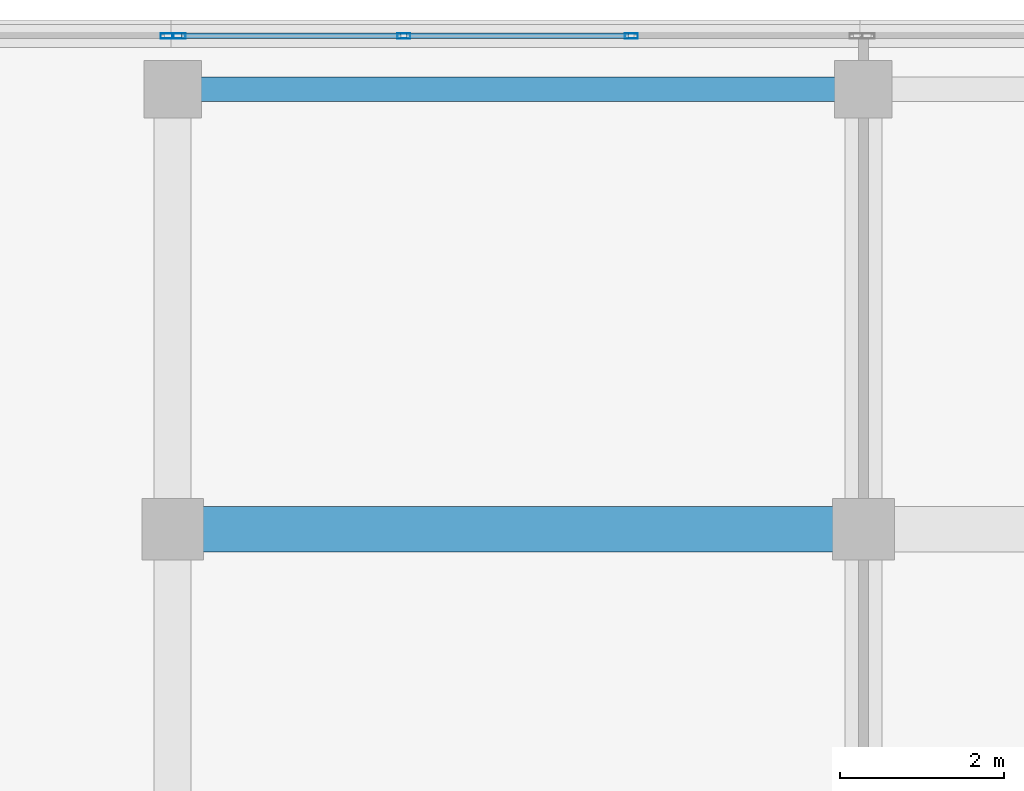
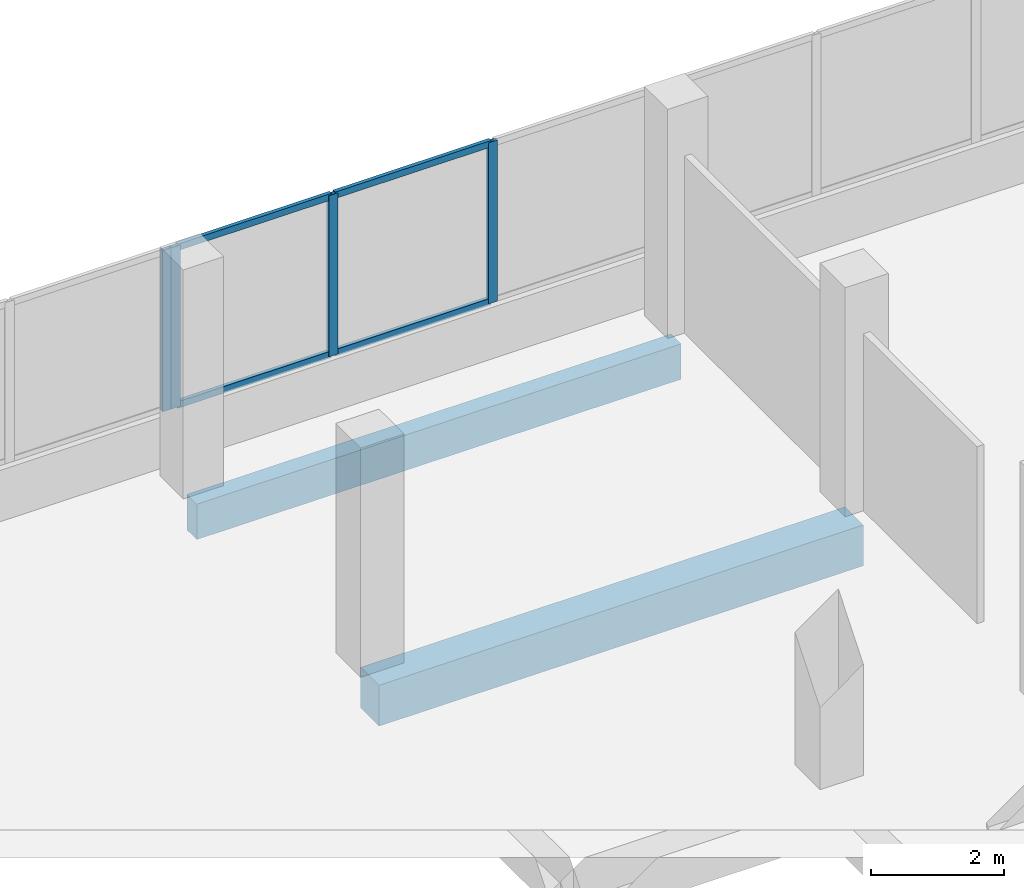
# One storey, part 93 of 184: 8 members, 2 beams, 2 elements without a shape of their own.
"""IFC4 building model written with IfcOpenShell, lengths in metres."""

import ifcopenshell
import ifcopenshell.guid

model = None  # the IFC model being written
_history = None  # IfcOwnerHistory: only IFC2X3 demands one
_inside = {}  # id of a spatial element -> (the spatial element, [elements in it])
_under = {}  # id of a project, library or spatial element -> (it, [spatial elements below it])
_declared = {}  # id of a project -> (the project, [libraries it declares])
_typed = {}  # id of a type object -> (the type object, [elements of that type])
_made_of = {}  # id of a material, layer set ... -> (it, [elements and type objects made of it])


def new_model(schema):
    """Start an empty IFC model of exactly this schema.

    Asked for "IFC4X3", IfcOpenShell would pick the latest addendum, in which some entities
    have other attributes; the version numbers below select the first issue.
    IFC2X3 requires an IfcOwnerHistory on every rooted entity: one is made here for all.
    """
    global model, _history
    if schema == "IFC4X3":
        model = ifcopenshell.file(schema_version=(4, 3, 0, 0))
    else:
        model = ifcopenshell.file(schema=schema)
    _inside.clear()
    _under.clear()
    _declared.clear()
    _typed.clear()
    _made_of.clear()
    _history = None
    if model.schema == "IFC2X3":
        org = make("IfcOrganization", Name="unknown")
        user = make(
            "IfcPersonAndOrganization",
            ThePerson=make("IfcPerson", FamilyName="unknown"),
            TheOrganization=org,
        )
        app = make(
            "IfcApplication",
            ApplicationDeveloper=org,
            Version="unknown",
            ApplicationFullName="unknown",
            ApplicationIdentifier="unknown",
        )
        _history = make(
            "IfcOwnerHistory",
            OwningUser=user,
            OwningApplication=app,
            ChangeAction="ADDED",
            CreationDate=0,
        )
    return model


def make(cls, **values):
    """One entity of the class cls with the attributes given. An attribute that is None is left unset."""
    return model.create_entity(
        cls, **{name: value for name, value in values.items() if value is not None}
    )


def rooted(cls, **values):
    """An entity with a GlobalId (a new one), such as an element, a storey or a relation."""
    return make(cls, GlobalId=ifcopenshell.guid.new(), OwnerHistory=_history, **values)


def si_unit(unit_type, name, prefix=None):
    """IfcSIUnit, for example si_unit("LENGTHUNIT", "METRE", prefix="MILLI")."""
    return make("IfcSIUnit", UnitType=unit_type, Prefix=prefix, Name=name)


def assignment(units):
    """IfcUnitAssignment: the units of a project."""
    return None if units is None else make("IfcUnitAssignment", Units=units)


def point(xyz):
    """IfcCartesianPoint."""
    return None if xyz is None else make("IfcCartesianPoint", Coordinates=xyz)


def direction(xyz):
    """IfcDirection."""
    return None if xyz is None else make("IfcDirection", DirectionRatios=xyz)


def frame(location, z_axis=None, x_axis=None):
    """IfcAxis2Placement3D, a coordinate frame: its origin and axes. An axis left out is left unset."""
    return make(
        "IfcAxis2Placement3D",
        Location=point(location),
        Axis=direction(z_axis),
        RefDirection=direction(x_axis),
    )


def frame_2d(location, x_axis=None):
    """IfcAxis2Placement2D, a coordinate frame in the plane: its origin and x axis."""
    return make(
        "IfcAxis2Placement2D", Location=point(location), RefDirection=direction(x_axis)
    )


def origin():
    """The frame at (0, 0, 0) with its axes left unset."""
    return frame((0.0, 0.0, 0.0))


def origin_2d():
    """The frame at (0, 0) in the plane with its x axis left unset."""
    return frame_2d((0.0, 0.0))


def place(relative_to, where):
    """IfcLocalPlacement: puts the frame where relative to a parent placement (None: the world)."""
    return make(
        "IfcLocalPlacement", PlacementRelTo=relative_to, RelativePlacement=where
    )


def context(
    kind, dimensions, precision=None, world=None, true_north=None, identifier=None
):
    """IfcGeometricRepresentationContext, for example the 3D "Model" context."""
    return make(
        "IfcGeometricRepresentationContext",
        ContextIdentifier=identifier,
        ContextType=kind,
        CoordinateSpaceDimension=dimensions,
        Precision=precision,
        WorldCoordinateSystem=world,
        TrueNorth=true_north,
    )


def subcontext(parent, identifier, kind, view, scale=None):
    """IfcGeometricRepresentationSubContext, for example "Body" below "Model"."""
    return make(
        "IfcGeometricRepresentationSubContext",
        ContextIdentifier=identifier,
        ContextType=kind,
        ParentContext=parent,
        TargetScale=scale,
        TargetView=view,
    )


def project(units=None, contexts=None):
    """IfcProject with its units and contexts."""
    return rooted(
        "IfcProject",
        Name="project",
        RepresentationContexts=contexts,
        UnitsInContext=assignment(units),
    )


def spatial(cls, under=None, at=None, **own):
    """A site, building, storey or space (cls), placed at a placement, below another one or the project."""
    s = rooted(cls, ObjectPlacement=at, **own)
    if under is not None:
        _under.setdefault(under.id(), (under, []))[1].append(s)
    return s


def profile(cls, at=None, kind="AREA", **sizes):
    """A parametric profile (cls). Its sizes go by their IFC names, for example OverallWidth=200.0."""
    return make(cls, ProfileType=kind, Position=at, **sizes)


def rectangle(**sizes):
    """IfcRectangleProfileDef."""
    return profile("IfcRectangleProfileDef", **sizes)


def hollow_rectangle(**sizes):
    """IfcRectangleHollowProfileDef."""
    return profile("IfcRectangleHollowProfileDef", **sizes)


def extrude(swept, where, along, depth):
    """IfcExtrudedAreaSolid: the profile swept, set in the frame where, extruded along a direction by depth."""
    return make(
        "IfcExtrudedAreaSolid",
        SweptArea=swept,
        Position=where,
        ExtrudedDirection=direction(along),
        Depth=depth,
    )


def shape(context_of_items, identifier, shape_type, items):
    """IfcShapeRepresentation: the items that make up one representation, for example the "Body"."""
    return make(
        "IfcShapeRepresentation",
        ContextOfItems=context_of_items,
        RepresentationIdentifier=identifier,
        RepresentationType=shape_type,
        Items=items,
    )


def material(Name=None, Category=None):
    """IfcMaterial."""
    return make("IfcMaterial", Name=Name, Category=Category)


def material_profile(
    of_material, cross_section, Name=None, Category=None, Priority=None
):
    """IfcMaterialProfile: a cross section and its material."""
    return make(
        "IfcMaterialProfile",
        Name=Name,
        Material=of_material,
        Profile=cross_section,
        Priority=Priority,
        Category=Category,
    )


def profile_set(profiles, Name=None, composite=None):
    """IfcMaterialProfileSet."""
    return make(
        "IfcMaterialProfileSet",
        Name=Name,
        MaterialProfiles=profiles,
        CompositeProfile=composite,
    )


def made_of(thing, what):
    """Note that an element or type object is made of a material, layer set ...; save() writes the relation."""
    if what is not None:
        _made_of.setdefault(what.id(), (what, []))[1].append(thing)
    return thing


def type_object(cls, material=None, **own):
    """A type object (cls), such as IfcWallType, which elements share."""
    return made_of(rooted(cls, **own), material)


def element(
    cls,
    number,
    at=None,
    inside=None,
    cuts=None,
    type_object=None,
    material=None,
    context=None,
    identifier="Body",
    shape_type=None,
    held_by="IfcProductDefinitionShape",
    body=None,
    shapes=None,
    **own,
):
    """One element of the class cls, such as IfcWall. Its Tag is "e" and its number.

    at: its placement. inside: the storey or other place that contains it. cuts: it is an
    opening in that element (IfcRelVoidsElement). A single representation is given by context,
    identifier, shape_type and body (its items); several are given by shapes. held_by: the class
    of the entity that holds the representations. save() writes the other relations.
    """
    e = rooted(cls, Tag="e%d" % number, ObjectPlacement=at, **own)
    if body is not None:
        shapes = [shape(context, identifier, shape_type, body)]
    if shapes is not None:
        e.Representation = make(held_by, Representations=shapes)
    if inside is not None:
        _inside.setdefault(inside.id(), (inside, []))[1].append(e)
    if cuts is not None:
        rooted(
            "IfcRelVoidsElement", RelatingBuildingElement=cuts, RelatedOpeningElement=e
        )
    if type_object is not None:
        _typed.setdefault(type_object.id(), (type_object, []))[1].append(e)
    return made_of(e, material)


def aggregate(whole, parts):
    """IfcRelAggregates: a whole, such as a stair, and the parts it consists of."""
    return rooted("IfcRelAggregates", RelatingObject=whole, RelatedObjects=parts)


def save(model, path):
    """Write the relations noted so far, then the file.

    IfcRelAggregates (storeys below a building ...), IfcRelContainedInSpatialStructure (elements
    in a storey), IfcRelDefinesByType, IfcRelAssociatesMaterial and IfcRelDeclares: one each for
    every whole, place, type object, material and project.
    """
    for whole, parts in _under.values():
        aggregate(whole, parts)
    for where, things in _inside.values():
        rooted(
            "IfcRelContainedInSpatialStructure",
            RelatedElements=things,
            RelatingStructure=where,
        )
    for kind, things in _typed.values():
        rooted("IfcRelDefinesByType", RelatedObjects=things, RelatingType=kind)
    for what, things in _made_of.values():
        rooted("IfcRelAssociatesMaterial", RelatedObjects=things, RelatingMaterial=what)
    for by, libraries in _declared.values():
        rooted("IfcRelDeclares", RelatingContext=by, RelatedDefinitions=libraries)
    model.write(path)


model = new_model("IFC4")

# Units and contexts
model_context = context("Model", 3, precision=1e-05, world=origin(), true_north=direction((0.0, 1.0)))
body_context = subcontext(model_context, "Body", "Model", "MODEL_VIEW")
ifc_project = project(units=[si_unit("LENGTHUNIT", "METRE"), si_unit("AREAUNIT", "SQUARE_METRE"), si_unit("VOLUMEUNIT", "CUBIC_METRE"), si_unit("PLANEANGLEUNIT", "RADIAN"), si_unit("MASSUNIT", "GRAM", prefix="KILO")], contexts=[model_context])

# Site, building, storey
site_placement = place(None, origin())
site = spatial("IfcSite", under=ifc_project, at=site_placement, CompositionType="ELEMENT")
building_placement = place(site_placement, origin())
building = spatial("IfcBuilding", under=site, at=building_placement, Name="Selatvlak General Hospital", CompositionType="ELEMENT")
storey_placement = place(building_placement, frame((0.0, 0.0, 15.0)))
storey = spatial("IfcBuildingStorey", under=building, at=storey_placement, Name="L03", CompositionType="ELEMENT", Elevation=15.0)

# Beams
ifc_material_1 = material(Name="Concrete C40/50", Category="concrete")
ifc_material_profile_1 = material_profile(ifc_material_1, rectangle(XDim=0.550048828125, YDim=0.75, at=origin_2d()), Name="RC-BM 550x750")
ifc_profile_set_1 = profile_set([ifc_material_profile_1], Name="Concrete C40/50")
beam_type_1 = type_object("IfcBeamType", Name="BM-G02", PredefinedType="BEAM", material=ifc_profile_set_1)
beam_1_placement = place(storey_placement, frame((22.800048828125, 114.0, -0.715087890625), z_axis=(1.0, 0.0, 0.0), x_axis=(0.0, 1.0, 0.0)))
element("IfcBeam", 1, at=beam_1_placement, inside=storey, type_object=beam_type_1, Name="Beam BMR-L03-1262", PredefinedType="BEAM", context=body_context, shape_type="SweptSolid", body=[
    extrude(rectangle(XDim=0.550048828125, YDim=0.75, at=origin_2d()), origin(), (0.0, 0.0, 1.0), 8.39990234375),
])
ifc_material_profile_2 = material_profile(ifc_material_1, rectangle(XDim=0.300048828125, YDim=0.64990234375, at=origin_2d()), Name="RC-SP 300x650")
ifc_profile_set_2 = profile_set([ifc_material_profile_2], Name="Concrete C40/50")
beam_type_2 = type_object("IfcBeamType", Name="BM-SP1", PredefinedType="SPANDREL", material=ifc_profile_set_2)
beam_2_placement = place(storey_placement, frame((22.800048828125, 119.35009765625, -0.6650390625), z_axis=(1.0, 0.0, 0.0), x_axis=(0.0, 1.0, 0.0)))
element("IfcBeam", 2, at=beam_2_placement, inside=storey, type_object=beam_type_2, Name="Beam BMR-L03-1277", PredefinedType="SPANDREL", context=body_context, shape_type="SweptSolid", body=[
    extrude(rectangle(XDim=0.300048828125, YDim=0.64990234375, at=origin_2d()), origin(), (0.0, 0.0, 1.0), 8.39990234375),
])

# Curtain wall, member
ifc_material_2 = material(Name="Solar-control Low-E double glazing", Category="glass")
curtain_wall_type_1 = type_object("IfcCurtainWallType", Name="CW-CW-01", PredefinedType="USERDEFINED", material=ifc_material_2)
curtain_wall_1_placement = place(storey_placement, origin())
curtain_wall_1 = element("IfcCurtainWall", 3, at=curtain_wall_1_placement, inside=storey, type_object=curtain_wall_type_1, Name="Glazed facade curtain wall CW-L03-0364", ObjectType="UNITISED CURTAIN WALL", PredefinedType="USERDEFINED")
ifc_material_3 = material(Name="Dark anodised aluminium mullion", Category="aluminium")
ifc_material_profile_3 = material_profile(ifc_material_3, hollow_rectangle(XDim=0.06494140625, YDim=0.159912109375, WallThickness=0.00390625, at=origin_2d()), Name="AL-MUL 65x160x4")
ifc_profile_set_3 = profile_set([ifc_material_profile_3], Name="Dark anodised aluminium mullion")
member_type_1 = type_object("IfcMemberType", Name="CWM-01", PredefinedType="MULLION", material=ifc_profile_set_3)
member_1_placement = place(storey_placement, frame((22.732421875, 119.9990234375, 0.93994140625), z_axis=(0.0, 0.0, 1.0), x_axis=(0.0, 1.0, 0.0)))
member_1 = element("IfcMember", 4, at=member_1_placement, type_object=member_type_1, Name="CW-01 mullion 4", PredefinedType="MULLION", context=body_context, shape_type="SweptSolid", body=[
    extrude(hollow_rectangle(XDim=0.06494140625, YDim=0.159912109375, WallThickness=0.00390625, at=origin_2d()), origin(), (0.0, 0.0, 1.0), 2.955078125),
])
aggregate(curtain_wall_1, [member_1])

# Curtain wall, members
curtain_wall_type_2 = type_object("IfcCurtainWallType", Name="CW-CW-02", PredefinedType="USERDEFINED", material=ifc_material_2)
curtain_wall_2_placement = place(storey_placement, origin())
curtain_wall_2 = element("IfcCurtainWall", 5, at=curtain_wall_2_placement, inside=storey, type_object=curtain_wall_type_2, Name="Glazed facade curtain wall CW-L03-0365", ObjectType="UNITISED CURTAIN WALL", PredefinedType="USERDEFINED")
member_2_placement = place(storey_placement, frame((22.87744140625, 119.9990234375, 0.93994140625), z_axis=(0.0, 0.0, 1.0), x_axis=(0.0, 1.0, 0.0)))
member_2 = element("IfcMember", 6, at=member_2_placement, type_object=member_type_1, Name="CW-02 mullion 1", PredefinedType="MULLION", context=body_context, shape_type="SweptSolid", body=[
    extrude(hollow_rectangle(XDim=0.06494140625, YDim=0.159912109375, WallThickness=0.00390625, at=origin_2d()), origin(), (0.0, 0.0, 1.0), 2.955078125),
])
member_3_placement = place(storey_placement, frame((25.611572265625, 119.9990234375, 0.93994140625), z_axis=(0.0, 0.0, 1.0), x_axis=(0.0, 1.0, 0.0)))
member_3 = element("IfcMember", 7, at=member_3_placement, type_object=member_type_1, Name="CW-02 mullion 2", PredefinedType="MULLION", context=body_context, shape_type="SweptSolid", body=[
    extrude(hollow_rectangle(XDim=0.06494140625, YDim=0.159912109375, WallThickness=0.00390625, at=origin_2d()), origin(), (0.0, 0.0, 1.0), 2.955078125),
])
member_4_placement = place(storey_placement, frame((28.37841796875, 119.9990234375, 0.93994140625), z_axis=(0.0, 0.0, 1.0), x_axis=(0.0, 1.0, 0.0)))
member_4 = element("IfcMember", 8, at=member_4_placement, type_object=member_type_1, Name="CW-02 mullion 3", PredefinedType="MULLION", context=body_context, shape_type="SweptSolid", body=[
    extrude(hollow_rectangle(XDim=0.06494140625, YDim=0.159912109375, WallThickness=0.00390625, at=origin_2d()), origin(), (0.0, 0.0, 1.0), 2.955078125),
])
ifc_material_profile_4 = material_profile(ifc_material_3, hollow_rectangle(XDim=0.06494140625, YDim=0.1201171875, WallThickness=0.00390625, at=origin_2d()), Name="AL-TRN 65x120x4")
ifc_profile_set_4 = profile_set([ifc_material_profile_4], Name="Dark anodised aluminium mullion")
member_type_2 = type_object("IfcMemberType", Name="CWT-01", PredefinedType="USERDEFINED", material=ifc_profile_set_4)
member_5_placement = place(storey_placement, frame((22.909912109375, 119.9990234375, 0.972412109375), z_axis=(1.0, 0.0, 0.0), x_axis=(0.0, 1.0, 0.0)))
member_5 = element("IfcMember", 9, at=member_5_placement, type_object=member_type_2, Name="CW-02 transom 1.1", ObjectType="TRANSOM", PredefinedType="USERDEFINED", context=body_context, shape_type="SweptSolid", body=[
    extrude(hollow_rectangle(XDim=0.06494140625, YDim=0.1201171875, WallThickness=0.00390625, at=origin_2d()), origin(), (0.0, 0.0, 1.0), 2.669189453125),
])
member_6_placement = place(storey_placement, frame((22.909912109375, 119.9990234375, 3.862548828125), z_axis=(1.0, 0.0, 0.0), x_axis=(0.0, 1.0, 0.0)))
member_6 = element("IfcMember", 10, at=member_6_placement, type_object=member_type_2, Name="CW-02 transom 1.2", ObjectType="TRANSOM", PredefinedType="USERDEFINED", context=body_context, shape_type="SweptSolid", body=[
    extrude(hollow_rectangle(XDim=0.06494140625, YDim=0.1201171875, WallThickness=0.00390625, at=origin_2d()), origin(), (0.0, 0.0, 1.0), 2.669189453125),
])
member_7_placement = place(storey_placement, frame((25.644287109375, 119.9990234375, 0.972412109375), z_axis=(1.0, 0.0, 0.0), x_axis=(0.0, 1.0, 0.0)))
member_7 = element("IfcMember", 11, at=member_7_placement, type_object=member_type_2, Name="CW-02 transom 2.1", ObjectType="TRANSOM", PredefinedType="USERDEFINED", context=body_context, shape_type="SweptSolid", body=[
    extrude(hollow_rectangle(XDim=0.06494140625, YDim=0.1201171875, WallThickness=0.00390625, at=origin_2d()), origin(), (0.0, 0.0, 1.0), 2.70166015625),
])
member_8_placement = place(storey_placement, frame((25.644287109375, 119.9990234375, 3.862548828125), z_axis=(1.0, 0.0, 0.0), x_axis=(0.0, 1.0, 0.0)))
member_8 = element("IfcMember", 12, at=member_8_placement, type_object=member_type_2, Name="CW-02 transom 2.2", ObjectType="TRANSOM", PredefinedType="USERDEFINED", context=body_context, shape_type="SweptSolid", body=[
    extrude(hollow_rectangle(XDim=0.06494140625, YDim=0.1201171875, WallThickness=0.00390625, at=origin_2d()), origin(), (0.0, 0.0, 1.0), 2.70166015625),
])
aggregate(curtain_wall_2, [member_2, member_3, member_4, member_5, member_6, member_7, member_8])

save(model, "model.ifc")
